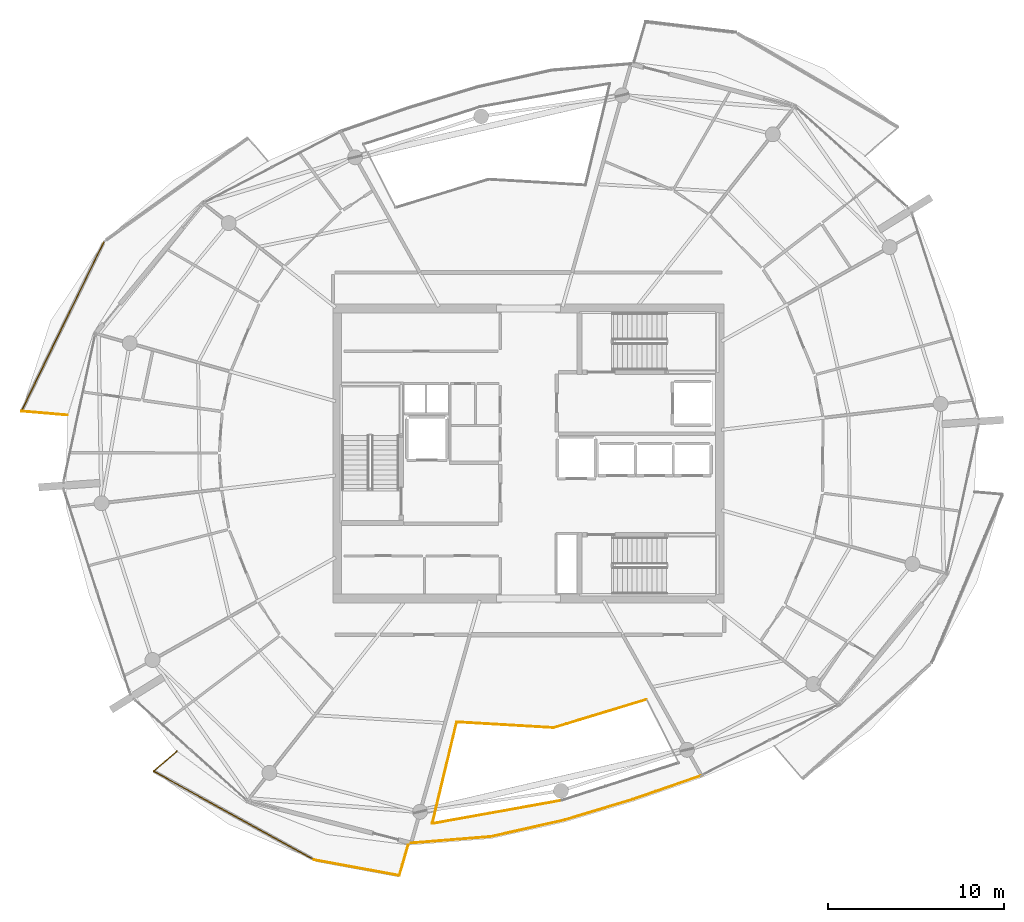
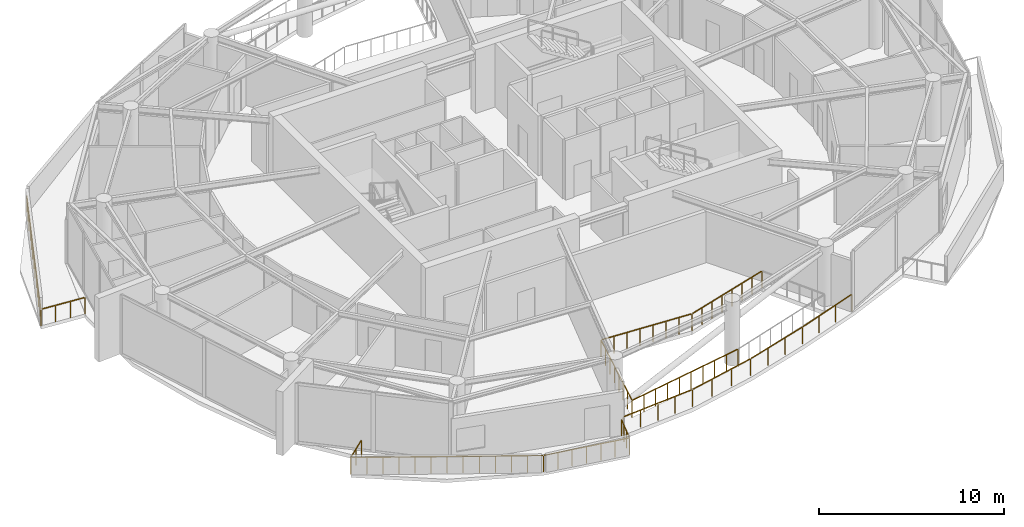
# One storey, part 18 of 22: 11 railings.
"""IFC4 building model written with IfcOpenShell, lengths in metres."""

from ifc_helpers import new_model, si_unit, direction, frame, origin, origin_2d, place, context, subcontext, project, spatial, rectangle, extrude, material, type_object, element, save


model = new_model("IFC4")

# Units and contexts
model_context = context("Model", 3, precision=1e-05, world=origin(), true_north=direction((0.0, 1.0)))
body_context = subcontext(model_context, "Body", "Model", "MODEL_VIEW")
ifc_project = project(units=[si_unit("LENGTHUNIT", "METRE"), si_unit("AREAUNIT", "SQUARE_METRE"), si_unit("VOLUMEUNIT", "CUBIC_METRE"), si_unit("PLANEANGLEUNIT", "RADIAN"), si_unit("MASSUNIT", "GRAM", prefix="KILO")], contexts=[model_context])

# Site, building, storey
site_placement = place(None, origin())
site = spatial("IfcSite", under=ifc_project, at=site_placement, CompositionType="ELEMENT")
building_placement = place(site_placement, origin())
building = spatial("IfcBuilding", under=site, at=building_placement, Name="Kazma Halo Residences", CompositionType="ELEMENT")
storey_placement = place(building_placement, frame((0.0, 0.0, 322.10009765625)))
storey = spatial("IfcBuildingStorey", under=building, at=storey_placement, Name="L81", CompositionType="ELEMENT", Elevation=322.10009765625)

# Railings
ifc_material_1 = material(Name="Aluminium AW-6063 T6 Brushed Cap Rail", Category="aluminium")
railing_type_1 = type_object("IfcRailingType", Name="RLG-BAL-CAP-1120", PredefinedType="BALUSTRADE", material=ifc_material_1)
railing_1_placement = place(storey_placement, frame((24.28857421875, 54.08154296875, 0.0)))
element("IfcRailing", 1, at=railing_1_placement, inside=storey, type_object=railing_type_1, Name="L81 NW wave balcony guard 3", PredefinedType="BALUSTRADE", context=body_context, shape_type="SweptSolid", body=[
    extrude(rectangle(XDim=0.050048828125, YDim=0.050048828125, at=origin_2d()), frame((-0.0185546875, -0.038330078125, 1.09521484375), z_axis=(-0.4376264546, -0.899156875208, 0.0), x_axis=(0.899156875208, -0.4376264546, 0.0)), (0.0, 0.0, 1.0), 10.669677734375),
    extrude(rectangle(XDim=0.0400390625, YDim=0.0400390625, at=origin_2d()), origin(), (0.0, 0.0, 1.0), 1.05810546875),
    extrude(rectangle(XDim=0.0400390625, YDim=0.0400390625, at=origin_2d()), frame((-0.39208984375, -0.805908203125, 0.0)), (0.0, 0.0, 1.0), 1.05810546875),
    extrude(rectangle(XDim=0.0400390625, YDim=0.0400390625, at=origin_2d()), frame((-0.784423828125, -1.61181640625, 0.0)), (0.0, 0.0, 1.0), 1.05810546875),
    extrude(rectangle(XDim=0.0400390625, YDim=0.0400390625, at=origin_2d()), frame((-1.1767578125, -2.41748046875, 0.0)), (0.0, 0.0, 1.0), 1.05810546875),
    extrude(rectangle(XDim=0.0400390625, YDim=0.0400390625, at=origin_2d()), frame((-1.56884765625, -3.223388671875, 0.0)), (0.0, 0.0, 1.0), 1.05810546875),
    extrude(rectangle(XDim=0.0400390625, YDim=0.0400390625, at=origin_2d()), frame((-1.9609375, -4.029296875, 0.0)), (0.0, 0.0, 1.0), 1.05810546875),
    extrude(rectangle(XDim=0.0400390625, YDim=0.0400390625, at=origin_2d()), frame((-2.353271484375, -4.8349609375, 0.0)), (0.0, 0.0, 1.0), 1.05810546875),
    extrude(rectangle(XDim=0.0400390625, YDim=0.0400390625, at=origin_2d()), frame((-2.74560546875, -5.640869140625, 0.0)), (0.0, 0.0, 1.0), 1.05810546875),
    extrude(rectangle(XDim=0.0400390625, YDim=0.0400390625, at=origin_2d()), frame((-3.1376953125, -6.44677734375, 0.0)), (0.0, 0.0, 1.0), 1.05810546875),
    extrude(rectangle(XDim=0.0400390625, YDim=0.0400390625, at=origin_2d()), frame((-3.52978515625, -7.252685546875, 0.0)), (0.0, 0.0, 1.0), 1.05810546875),
    extrude(rectangle(XDim=0.0400390625, YDim=0.0400390625, at=origin_2d()), frame((-3.922119140625, -8.05859375, 0.0)), (0.0, 0.0, 1.0), 1.05810546875),
    extrude(rectangle(XDim=0.0400390625, YDim=0.0400390625, at=origin_2d()), frame((-4.314453125, -8.8642578125, 0.0)), (0.0, 0.0, 1.0), 1.05810546875),
    extrude(rectangle(XDim=0.0400390625, YDim=0.0400390625, at=origin_2d()), frame((-4.70654296875, -9.670166015625, 0.0)), (0.0, 0.0, 1.0), 1.05810546875),
])
railing_2_placement = place(storey_placement, frame((19.58203125, 44.411376953125, 0.0)))
element("IfcRailing", 2, at=railing_2_placement, inside=storey, type_object=railing_type_1, Name="L81 NW wave balcony guard 4", PredefinedType="BALUSTRADE", context=body_context, shape_type="SweptSolid", body=[
    extrude(rectangle(XDim=0.050048828125, YDim=0.050048828125, at=origin_2d()), frame((0.04248046875, -0.003662109375, 1.09521484375), z_axis=(0.99641429759, -0.084608200297, 0.0), x_axis=(0.084608200297, 0.99641429759, 0.0)), (0.0, 0.0, 1.0), 2.55224609375),
    extrude(rectangle(XDim=0.0400390625, YDim=0.0400390625, at=origin_2d()), origin(), (0.0, 0.0, 1.0), 1.05810546875),
    extrude(rectangle(XDim=0.0400390625, YDim=0.0400390625, at=origin_2d()), frame((0.8759765625, -0.074462890625, 0.0)), (0.0, 0.0, 1.0), 1.05810546875),
    extrude(rectangle(XDim=0.0400390625, YDim=0.0400390625, at=origin_2d()), frame((1.751953125, -0.148681640625, 0.0)), (0.0, 0.0, 1.0), 1.05810546875),
    extrude(rectangle(XDim=0.0400390625, YDim=0.0400390625, at=origin_2d()), frame((2.6279296875, -0.22314453125, 0.0)), (0.0, 0.0, 1.0), 1.05810546875),
])
railing_3_placement = place(storey_placement, frame((28.421630859375, 25.070556640625, 0.0)))
element("IfcRailing", 3, at=railing_3_placement, inside=storey, type_object=railing_type_1, Name="L81 SW wave balcony guard 1", PredefinedType="BALUSTRADE", context=body_context, shape_type="SweptSolid", body=[
    extrude(rectangle(XDim=0.050048828125, YDim=0.050048828125, at=origin_2d()), frame((-0.0322265625, -0.02783203125, 1.09521484375), z_axis=(-0.756441827706, -0.654060976742, 0.0), x_axis=(0.654060976742, -0.756441827706, 0.0)), (0.0, 0.0, 1.0), 1.658203125),
    extrude(rectangle(XDim=0.0400390625, YDim=0.0400390625, at=origin_2d()), origin(), (0.0, 0.0, 1.0), 1.05810546875),
    extrude(rectangle(XDim=0.0400390625, YDim=0.0400390625, at=origin_2d()), frame((-0.6591796875, -0.570068359375, 0.0)), (0.0, 0.0, 1.0), 1.05810546875),
    extrude(rectangle(XDim=0.0400390625, YDim=0.0400390625, at=origin_2d()), frame((-1.318603515625, -1.14013671875, 0.0)), (0.0, 0.0, 1.0), 1.05810546875),
])
railing_4_placement = place(storey_placement, frame((27.10302734375, 23.930419921875, 0.0)))
element("IfcRailing", 4, at=railing_4_placement, inside=storey, type_object=railing_type_1, Name="L81 SW wave balcony guard 2", PredefinedType="BALUSTRADE", context=body_context, shape_type="SweptSolid", body=[
    extrude(rectangle(XDim=0.050048828125, YDim=0.050048828125, at=origin_2d()), frame((0.037353515625, -0.0205078125, 1.09521484375), z_axis=(0.875463539226, -0.4832841726, 0.0), x_axis=(0.4832841726, 0.875463539226, 0.0)), (0.0, 0.0, 1.0), 10.336669921875),
    extrude(rectangle(XDim=0.0400390625, YDim=0.0400390625, at=origin_2d()), origin(), (0.0, 0.0, 1.0), 1.05810546875),
    extrude(rectangle(XDim=0.0400390625, YDim=0.0400390625, at=origin_2d()), frame((0.76025390625, -0.419677734375, 0.0)), (0.0, 0.0, 1.0), 1.05810546875),
    extrude(rectangle(XDim=0.0400390625, YDim=0.0400390625, at=origin_2d()), frame((1.5205078125, -0.83935546875, 0.0)), (0.0, 0.0, 1.0), 1.05810546875),
    extrude(rectangle(XDim=0.0400390625, YDim=0.0400390625, at=origin_2d()), frame((2.281005859375, -1.25927734375, 0.0)), (0.0, 0.0, 1.0), 1.05810546875),
    extrude(rectangle(XDim=0.0400390625, YDim=0.0400390625, at=origin_2d()), frame((3.041259765625, -1.678955078125, 0.0)), (0.0, 0.0, 1.0), 1.05810546875),
    extrude(rectangle(XDim=0.0400390625, YDim=0.0400390625, at=origin_2d()), frame((3.801513671875, -2.0986328125, 0.0)), (0.0, 0.0, 1.0), 1.05810546875),
    extrude(rectangle(XDim=0.0400390625, YDim=0.0400390625, at=origin_2d()), frame((4.56201171875, -2.518310546875, 0.0)), (0.0, 0.0, 1.0), 1.05810546875),
    extrude(rectangle(XDim=0.0400390625, YDim=0.0400390625, at=origin_2d()), frame((5.322265625, -2.93798828125, 0.0)), (0.0, 0.0, 1.0), 1.05810546875),
    extrude(rectangle(XDim=0.0400390625, YDim=0.0400390625, at=origin_2d()), frame((6.08251953125, -3.357666015625, 0.0)), (0.0, 0.0, 1.0), 1.05810546875),
    extrude(rectangle(XDim=0.0400390625, YDim=0.0400390625, at=origin_2d()), frame((6.8427734375, -3.77734375, 0.0)), (0.0, 0.0, 1.0), 1.05810546875),
    extrude(rectangle(XDim=0.0400390625, YDim=0.0400390625, at=origin_2d()), frame((7.60302734375, -4.197265625, 0.0)), (0.0, 0.0, 1.0), 1.05810546875),
    extrude(rectangle(XDim=0.0400390625, YDim=0.0400390625, at=origin_2d()), frame((8.363525390625, -4.616943359375, 0.0)), (0.0, 0.0, 1.0), 1.05810546875),
    extrude(rectangle(XDim=0.0400390625, YDim=0.0400390625, at=origin_2d()), frame((9.123779296875, -5.03662109375, 0.0)), (0.0, 0.0, 1.0), 1.05810546875),
])
railing_5_placement = place(storey_placement, frame((36.226806640625, 18.893798828125, 0.0)))
element("IfcRailing", 5, at=railing_5_placement, inside=storey, type_object=railing_type_1, Name="L81 SW wave balcony guard 3", PredefinedType="BALUSTRADE", context=body_context, shape_type="SweptSolid", body=[
    extrude(rectangle(XDim=0.050048828125, YDim=0.050048828125, at=origin_2d()), frame((0.041748046875, -0.0078125, 1.09521484375), z_axis=(0.983431811487, -0.181278438198, 0.0), x_axis=(0.181278438198, 0.983431811487, 0.0)), (0.0, 0.0, 1.0), 4.8427734375),
    extrude(rectangle(XDim=0.0400390625, YDim=0.0400390625, at=origin_2d()), origin(), (0.0, 0.0, 1.0), 1.05810546875),
    extrude(rectangle(XDim=0.0400390625, YDim=0.0400390625, at=origin_2d()), frame((0.8076171875, -0.14892578125, 0.0)), (0.0, 0.0, 1.0), 1.05810546875),
    extrude(rectangle(XDim=0.0400390625, YDim=0.0400390625, at=origin_2d()), frame((1.615478515625, -0.2978515625, 0.0)), (0.0, 0.0, 1.0), 1.05810546875),
    extrude(rectangle(XDim=0.0400390625, YDim=0.0400390625, at=origin_2d()), frame((2.423095703125, -0.44677734375, 0.0)), (0.0, 0.0, 1.0), 1.05810546875),
    extrude(rectangle(XDim=0.0400390625, YDim=0.0400390625, at=origin_2d()), frame((3.230712890625, -0.595458984375, 0.0)), (0.0, 0.0, 1.0), 1.05810546875),
    extrude(rectangle(XDim=0.0400390625, YDim=0.0400390625, at=origin_2d()), frame((4.03857421875, -0.744384765625, 0.0)), (0.0, 0.0, 1.0), 1.05810546875),
    extrude(rectangle(XDim=0.0400390625, YDim=0.0400390625, at=origin_2d()), frame((4.84619140625, -0.893310546875, 0.0)), (0.0, 0.0, 1.0), 1.05810546875),
])
railing_6_placement = place(storey_placement, frame((41.072998046875, 18.00048828125, 0.0)))
element("IfcRailing", 6, at=railing_6_placement, inside=storey, type_object=railing_type_1, Name="L81 SW wave balcony guard 4", PredefinedType="BALUSTRADE", context=body_context, shape_type="SweptSolid", body=[
    extrude(rectangle(XDim=0.050048828125, YDim=0.050048828125, at=origin_2d()), frame((0.01171875, 0.040771484375, 1.09521484375), z_axis=(0.277258475671, 0.960795367219, 0.0), x_axis=(-0.960795367219, 0.277258475671, 0.0)), (0.0, 0.0, 1.0), 1.7314453125),
    extrude(rectangle(XDim=0.0400390625, YDim=0.0400390625, at=origin_2d()), origin(), (0.0, 0.0, 1.0), 1.05810546875),
    extrude(rectangle(XDim=0.0400390625, YDim=0.0400390625, at=origin_2d()), frame((0.16796875, 0.581787109375, 0.0)), (0.0, 0.0, 1.0), 1.05810546875),
    extrude(rectangle(XDim=0.0400390625, YDim=0.0400390625, at=origin_2d()), frame((0.335693359375, 1.16357421875, 0.0)), (0.0, 0.0, 1.0), 1.05810546875),
    extrude(rectangle(XDim=0.0400390625, YDim=0.0400390625, at=origin_2d()), frame((0.503662109375, 1.745361328125, 0.0)), (0.0, 0.0, 1.0), 1.05810546875),
])
ifc_material_2 = material(Name="Brushed Stainless Steel and Laminated Glass", Category="steel")
railing_type_2 = type_object("IfcRailingType", Name="RLG-EXT-GUARD-1150", PredefinedType="GUARDRAIL", material=ifc_material_2)
railing_7_placement = place(storey_placement, frame((44.3349609375, 26.73388671875, 0.0)))
element("IfcRailing", 7, at=railing_7_placement, inside=storey, type_object=railing_type_2, Name="L81 upper wind-portal edge guard 2.1", PredefinedType="GUARDRAIL", context=body_context, shape_type="SweptSolid", body=[
    extrude(rectangle(XDim=0.050048828125, YDim=0.050048828125, at=origin_2d()), frame((0.04248046875, -0.00244140625, 1.125), z_axis=(0.998263068552, -0.058913886013, 0.0), x_axis=(0.058913886013, 0.998263068552, 0.0)), (0.0, 0.0, 1.0), 5.434814453125),
    extrude(rectangle(XDim=0.0400390625, YDim=0.0400390625, at=origin_2d()), origin(), (0.0, 0.0, 1.0), 1.087890625),
    extrude(rectangle(XDim=0.0400390625, YDim=0.0400390625, at=origin_2d()), frame((0.787109375, -0.04638671875, 0.0)), (0.0, 0.0, 1.0), 1.087890625),
    extrude(rectangle(XDim=0.0400390625, YDim=0.0400390625, at=origin_2d()), frame((1.574462890625, -0.093017578125, 0.0)), (0.0, 0.0, 1.0), 1.087890625),
    extrude(rectangle(XDim=0.0400390625, YDim=0.0400390625, at=origin_2d()), frame((2.361572265625, -0.139404296875, 0.0)), (0.0, 0.0, 1.0), 1.087890625),
    extrude(rectangle(XDim=0.0400390625, YDim=0.0400390625, at=origin_2d()), frame((3.148681640625, -0.185791015625, 0.0)), (0.0, 0.0, 1.0), 1.087890625),
    extrude(rectangle(XDim=0.0400390625, YDim=0.0400390625, at=origin_2d()), frame((3.935791015625, -0.232177734375, 0.0)), (0.0, 0.0, 1.0), 1.087890625),
    extrude(rectangle(XDim=0.0400390625, YDim=0.0400390625, at=origin_2d()), frame((4.72314453125, -0.27880859375, 0.0)), (0.0, 0.0, 1.0), 1.087890625),
    extrude(rectangle(XDim=0.0400390625, YDim=0.0400390625, at=origin_2d()), frame((5.51025390625, -0.3251953125, 0.0)), (0.0, 0.0, 1.0), 1.087890625),
])
railing_8_placement = place(storey_placement, frame((49.84521484375, 26.40869140625, 0.0)))
element("IfcRailing", 8, at=railing_8_placement, inside=storey, type_object=railing_type_2, Name="L81 upper wind-portal edge guard 2.2", PredefinedType="GUARDRAIL", context=body_context, shape_type="SweptSolid", body=[
    extrude(rectangle(XDim=0.050048828125, YDim=0.050048828125, at=origin_2d()), frame((0.040771484375, 0.012451171875, 1.125), z_axis=(0.956934342561, 0.290304433358, 0.0), x_axis=(-0.290304433358, 0.956934342561, 0.0)), (0.0, 0.0, 1.0), 5.43505859375),
    extrude(rectangle(XDim=0.0400390625, YDim=0.0400390625, at=origin_2d()), origin(), (0.0, 0.0, 1.0), 1.087890625),
    extrude(rectangle(XDim=0.0400390625, YDim=0.0400390625, at=origin_2d()), frame((0.754638671875, 0.22900390625, 0.0)), (0.0, 0.0, 1.0), 1.087890625),
    extrude(rectangle(XDim=0.0400390625, YDim=0.0400390625, at=origin_2d()), frame((1.50927734375, 0.457763671875, 0.0)), (0.0, 0.0, 1.0), 1.087890625),
    extrude(rectangle(XDim=0.0400390625, YDim=0.0400390625, at=origin_2d()), frame((2.263916015625, 0.686767578125, 0.0)), (0.0, 0.0, 1.0), 1.087890625),
    extrude(rectangle(XDim=0.0400390625, YDim=0.0400390625, at=origin_2d()), frame((3.0185546875, 0.915771484375, 0.0)), (0.0, 0.0, 1.0), 1.087890625),
    extrude(rectangle(XDim=0.0400390625, YDim=0.0400390625, at=origin_2d()), frame((3.773193359375, 1.144775390625, 0.0)), (0.0, 0.0, 1.0), 1.087890625),
    extrude(rectangle(XDim=0.0400390625, YDim=0.0400390625, at=origin_2d()), frame((4.52783203125, 1.37353515625, 0.0)), (0.0, 0.0, 1.0), 1.087890625),
    extrude(rectangle(XDim=0.0400390625, YDim=0.0400390625, at=origin_2d()), frame((5.282470703125, 1.6025390625, 0.0)), (0.0, 0.0, 1.0), 1.087890625),
])
railing_9_placement = place(storey_placement, frame((50.333984375, 22.2802734375, 0.0)))
element("IfcRailing", 9, at=railing_9_placement, inside=storey, type_object=railing_type_2, Name="L81 upper wind-portal edge guard 2.5", PredefinedType="GUARDRAIL", context=body_context, shape_type="SweptSolid", body=[
    extrude(rectangle(XDim=0.050048828125, YDim=0.050048828125, at=origin_2d()), frame((-0.0419921875, -0.007568359375, 1.125), z_axis=(-0.984235798799, -0.176861223455, 0.0), x_axis=(0.176861223455, -0.984235798799, 0.0)), (0.0, 0.0, 1.0), 7.420166015625),
    extrude(rectangle(XDim=0.0400390625, YDim=0.0400390625, at=origin_2d()), origin(), (0.0, 0.0, 1.0), 1.087890625),
    extrude(rectangle(XDim=0.0400390625, YDim=0.0400390625, at=origin_2d()), frame((-0.82080078125, -0.1474609375, 0.0)), (0.0, 0.0, 1.0), 1.087890625),
    extrude(rectangle(XDim=0.0400390625, YDim=0.0400390625, at=origin_2d()), frame((-1.6416015625, -0.294921875, 0.0)), (0.0, 0.0, 1.0), 1.087890625),
    extrude(rectangle(XDim=0.0400390625, YDim=0.0400390625, at=origin_2d()), frame((-2.46240234375, -0.4423828125, 0.0)), (0.0, 0.0, 1.0), 1.087890625),
    extrude(rectangle(XDim=0.0400390625, YDim=0.0400390625, at=origin_2d()), frame((-3.283203125, -0.58984375, 0.0)), (0.0, 0.0, 1.0), 1.087890625),
    extrude(rectangle(XDim=0.0400390625, YDim=0.0400390625, at=origin_2d()), frame((-4.103759765625, -0.737548828125, 0.0)), (0.0, 0.0, 1.0), 1.087890625),
    extrude(rectangle(XDim=0.0400390625, YDim=0.0400390625, at=origin_2d()), frame((-4.924560546875, -0.885009765625, 0.0)), (0.0, 0.0, 1.0), 1.087890625),
    extrude(rectangle(XDim=0.0400390625, YDim=0.0400390625, at=origin_2d()), frame((-5.745361328125, -1.032470703125, 0.0)), (0.0, 0.0, 1.0), 1.087890625),
    extrude(rectangle(XDim=0.0400390625, YDim=0.0400390625, at=origin_2d()), frame((-6.566162109375, -1.179931640625, 0.0)), (0.0, 0.0, 1.0), 1.087890625),
    extrude(rectangle(XDim=0.0400390625, YDim=0.0400390625, at=origin_2d()), frame((-7.386962890625, -1.327392578125, 0.0)), (0.0, 0.0, 1.0), 1.087890625),
])
railing_10_placement = place(storey_placement, frame((42.947021484375, 20.952880859375, 0.0)))
element("IfcRailing", 10, at=railing_10_placement, inside=storey, type_object=railing_type_2, Name="L81 upper wind-portal edge guard 2.6", PredefinedType="GUARDRAIL", context=body_context, shape_type="SweptSolid", body=[
    extrude(rectangle(XDim=0.050048828125, YDim=0.050048828125, at=origin_2d()), frame((0.010009765625, 0.041259765625, 1.125), z_axis=(0.233452160997, 0.972368288523, 0.0), x_axis=(-0.972368288523, 0.233452160997, 0.0)), (0.0, 0.0, 1.0), 5.860107421875),
    extrude(rectangle(XDim=0.0400390625, YDim=0.0400390625, at=origin_2d()), origin(), (0.0, 0.0, 1.0), 1.087890625),
    extrude(rectangle(XDim=0.0400390625, YDim=0.0400390625, at=origin_2d()), frame((0.1982421875, 0.825927734375, 0.0)), (0.0, 0.0, 1.0), 1.087890625),
    extrude(rectangle(XDim=0.0400390625, YDim=0.0400390625, at=origin_2d()), frame((0.396484375, 1.651611328125, 0.0)), (0.0, 0.0, 1.0), 1.087890625),
    extrude(rectangle(XDim=0.0400390625, YDim=0.0400390625, at=origin_2d()), frame((0.5947265625, 2.4775390625, 0.0)), (0.0, 0.0, 1.0), 1.087890625),
    extrude(rectangle(XDim=0.0400390625, YDim=0.0400390625, at=origin_2d()), frame((0.793212890625, 3.303466796875, 0.0)), (0.0, 0.0, 1.0), 1.087890625),
    extrude(rectangle(XDim=0.0400390625, YDim=0.0400390625, at=origin_2d()), frame((0.991455078125, 4.12939453125, 0.0)), (0.0, 0.0, 1.0), 1.087890625),
    extrude(rectangle(XDim=0.0400390625, YDim=0.0400390625, at=origin_2d()), frame((1.189697265625, 4.955078125, 0.0)), (0.0, 0.0, 1.0), 1.087890625),
    extrude(rectangle(XDim=0.0400390625, YDim=0.0400390625, at=origin_2d()), frame((1.387939453125, 5.781005859375, 0.0)), (0.0, 0.0, 1.0), 1.087890625),
])
railing_11_placement = place(storey_placement, frame((41.751953125, 19.84619140625, 0.0)))
element("IfcRailing", 11, at=railing_11_placement, inside=storey, type_object=railing_type_2, Name="L81 upper wind-portal outer rim guard 2", PredefinedType="GUARDRAIL", context=body_context, shape_type="SweptSolid", body=[
    extrude(rectangle(XDim=0.050048828125, YDim=0.050048828125, at=origin_2d()), frame((0.04248046875, 0.00341796875, 1.125), z_axis=(0.996709972845, 0.081050786741, 0.0), x_axis=(-0.081050786741, 0.996709972845, 0.0)), (0.0, 0.0, 1.0), 4.46337890625),
    extrude(rectangle(XDim=0.050048828125, YDim=0.050048828125, at=origin_2d()), frame((4.574951171875, 0.3779296875, 1.125), z_axis=(0.975482432849, 0.220077311878, 0.0), x_axis=(-0.220077311878, 0.975482432849, 0.0)), (0.0, 0.0, 1.0), 4.201416015625),
    extrude(rectangle(XDim=0.050048828125, YDim=0.050048828125, at=origin_2d()), frame((8.755615234375, 1.32421875, 1.125), z_axis=(0.957126127976, 0.289671495225, 0.0), x_axis=(-0.289671495225, 0.957126127976, 0.0)), (0.0, 0.0, 1.0), 4.01025390625),
    extrude(rectangle(XDim=0.050048828125, YDim=0.050048828125, at=origin_2d()), frame((12.6748046875, 2.51220703125, 1.125), z_axis=(0.944594872531, 0.328238521184, 0.0), x_axis=(-0.328238521184, 0.944594872531, 0.0)), (0.0, 0.0, 1.0), 4.01025390625),
    extrude(rectangle(XDim=0.0400390625, YDim=0.0400390625, at=origin_2d()), origin(), (0.0, 0.0, 1.0), 1.087890625),
    extrude(rectangle(XDim=0.0400390625, YDim=0.0400390625, at=origin_2d()), frame((1.13330078125, 0.09228515625, 0.0)), (0.0, 0.0, 1.0), 1.087890625),
    extrude(rectangle(XDim=0.0400390625, YDim=0.0400390625, at=origin_2d()), frame((2.2666015625, 0.184326171875, 0.0)), (0.0, 0.0, 1.0), 1.087890625),
    extrude(rectangle(XDim=0.0400390625, YDim=0.0400390625, at=origin_2d()), frame((3.400146484375, 0.2763671875, 0.0)), (0.0, 0.0, 1.0), 1.087890625),
    extrude(rectangle(XDim=0.0400390625, YDim=0.0400390625, at=origin_2d()), frame((4.533447265625, 0.36865234375, 0.0)), (0.0, 0.0, 1.0), 1.087890625),
    extrude(rectangle(XDim=0.0400390625, YDim=0.0400390625, at=origin_2d()), frame((5.92724609375, 0.68310546875, 0.0)), (0.0, 0.0, 1.0), 1.087890625),
    extrude(rectangle(XDim=0.0400390625, YDim=0.0400390625, at=origin_2d()), frame((7.321044921875, 0.99755859375, 0.0)), (0.0, 0.0, 1.0), 1.087890625),
    extrude(rectangle(XDim=0.0400390625, YDim=0.0400390625, at=origin_2d()), frame((8.71484375, 1.31201171875, 0.0)), (0.0, 0.0, 1.0), 1.087890625),
    extrude(rectangle(XDim=0.0400390625, YDim=0.0400390625, at=origin_2d()), frame((10.021484375, 1.70751953125, 0.0)), (0.0, 0.0, 1.0), 1.087890625),
    extrude(rectangle(XDim=0.0400390625, YDim=0.0400390625, at=origin_2d()), frame((11.327880859375, 2.102783203125, 0.0)), (0.0, 0.0, 1.0), 1.087890625),
    extrude(rectangle(XDim=0.0400390625, YDim=0.0400390625, at=origin_2d()), frame((12.634521484375, 2.498291015625, 0.0)), (0.0, 0.0, 1.0), 1.087890625),
    extrude(rectangle(XDim=0.0400390625, YDim=0.0400390625, at=origin_2d()), frame((13.924072265625, 2.9462890625, 0.0)), (0.0, 0.0, 1.0), 1.087890625),
    extrude(rectangle(XDim=0.0400390625, YDim=0.0400390625, at=origin_2d()), frame((15.21337890625, 3.39453125, 0.0)), (0.0, 0.0, 1.0), 1.087890625),
    extrude(rectangle(XDim=0.0400390625, YDim=0.0400390625, at=origin_2d()), frame((16.5029296875, 3.842529296875, 0.0)), (0.0, 0.0, 1.0), 1.087890625),
])

save(model, "model.ifc")
